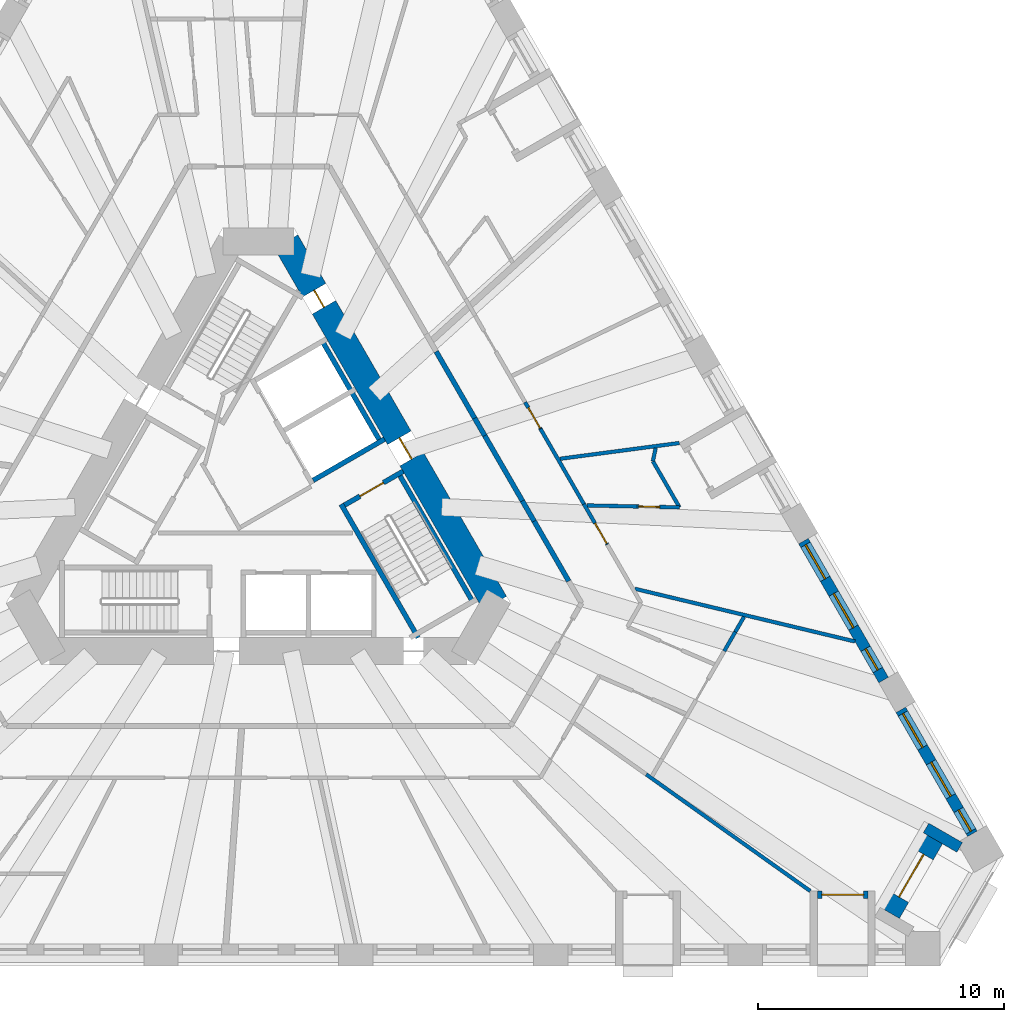
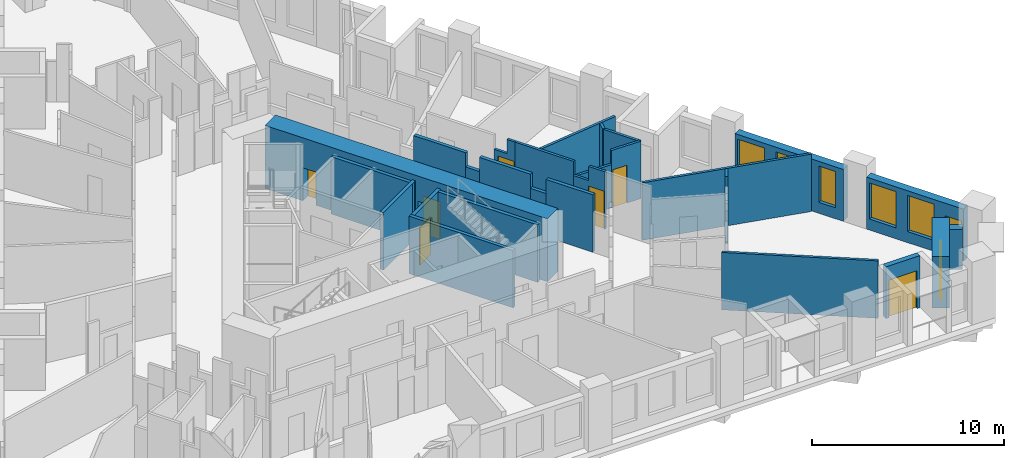
# One storey, part 7 of 14: 28 walls, 8 doors, 6 windows, 14 openings.
"""IFC4 building model written with IfcOpenShell, lengths in metres."""

from ifc_helpers import new_model, si_unit, direction, frame, frame_2d, origin, place, context, subcontext, project, spatial, polyline, rectangle, outline, extrude, material, layer, layer_set, type_object, element, fill, save


model = new_model("IFC4")

# Units and contexts
model_context = context("Model", 3, precision=1e-05, world=origin(), true_north=direction((0.0, 1.0)))
body_context = subcontext(model_context, "Body", "Model", "MODEL_VIEW")
ifc_project = project(units=[si_unit("LENGTHUNIT", "METRE"), si_unit("AREAUNIT", "SQUARE_METRE"), si_unit("VOLUMEUNIT", "CUBIC_METRE"), si_unit("PLANEANGLEUNIT", "RADIAN"), si_unit("MASSUNIT", "GRAM", prefix="KILO")], contexts=[model_context])

# Site, building, storey
site_placement = place(None, origin())
site = spatial("IfcSite", under=ifc_project, at=site_placement, CompositionType="ELEMENT")
building_placement = place(site_placement, origin())
building = spatial("IfcBuilding", under=site, at=building_placement, Name="Tramontana Tower", CompositionType="ELEMENT")
storey_placement = place(building_placement, frame((0.0, 0.0, 34.0)))
storey = spatial("IfcBuildingStorey", under=building, at=storey_placement, Name="L06", CompositionType="ELEMENT", Elevation=34.0)

# Wall, openings, doors
ifc_material_1 = material(Name="Concrete 70 MPa", Category="concrete")
ifc_layer_1 = layer(ifc_material_1, 1.10009765625)
ifc_layer_set_1 = layer_set([ifc_layer_1], Name="Core wall 1100 70 MPa")
wall_type_1 = type_object("IfcWallType", Name="Core wall 1100 70 MPa", PredefinedType="SHEAR", material=ifc_layer_set_1)
wall_1_placement = place(storey_placement, frame((9.61279296875, -4.25, 0.0), z_axis=(0.0, 0.0, 1.0), x_axis=(-0.500001757713, 0.866024388966, 0.0)))
wall_1 = element("IfcWall", 1, at=wall_1_placement, inside=storey, type_object=wall_type_1, Name="Core wall C5 L06", PredefinedType="SHEAR", context=body_context, shape_type="SweptSolid", body=[
    extrude(rectangle(XDim=16.97412109375, YDim=1.10009765625, at=frame_2d((8.487060546875, 0.0))), origin(), (0.0, 0.0, 1.0), 4.0),
])
opening_1_placement = place(wall_1_placement, frame((6.761962890625, 0.0, 0.0)))
opening_1 = element("IfcOpeningElement", 2, at=opening_1_placement, cuts=wall_1, Name="Opening RG3", PredefinedType="OPENING", context=body_context, shape_type="SweptSolid", body=[
    extrude(rectangle(XDim=1.0, YDim=2.39990234375, at=frame_2d((0.5, 1.199951171875))), frame((0.0, 0.56005859375, 0.0), z_axis=(0.0, -1.0, 0.0), x_axis=(1.0, 0.0, 0.0)), (0.0, 0.0, 1.0), 1.1201171875),
])
opening_2_placement = place(wall_1_placement, frame((13.88916015625, 0.0, 0.0)))
opening_2 = element("IfcOpeningElement", 3, at=opening_2_placement, cuts=wall_1, Name="Opening PD3", PredefinedType="OPENING", context=body_context, shape_type="SweptSolid", body=[
    extrude(rectangle(XDim=0.800048828125, YDim=2.10009765625, at=frame_2d((0.39990234375, 1.050048828125))), frame((0.0, 0.56005859375, 0.0), z_axis=(0.0, -1.0, 0.0), x_axis=(1.0, 0.0, 0.0)), (0.0, 0.0, 1.0), 1.1201171875),
])
ifc_material_2 = material(Name="Painted steel", Category="steel")
door_type_1 = type_object("IfcDoorType", Name="CUPBOARD DOOR 800", OperationType="SINGLE_SWING_LEFT", PredefinedType="DOOR", material=ifc_material_2)
door_1_placement = place(opening_2_placement, origin())
door_1 = element("IfcDoor", 4, at=door_1_placement, inside=storey, type_object=door_type_1, Name="Door PD3", OperationType="SINGLE_SWING_RIGHT", OverallHeight=2.10009765625, OverallWidth=0.800048828125, PredefinedType="DOOR", context=body_context, shape_type="SweptSolid", body=[
    extrude(rectangle(XDim=0.800048828125, YDim=2.10009765625, at=frame_2d((0.39990234375, 1.050048828125))), frame((0.0, 0.02490234375, 0.0), z_axis=(0.0, -1.0, 0.0), x_axis=(1.0, 0.0, 0.0)), (0.0, 0.0, 1.0), 0.050048828125),
])
fill(opening_2, door_1)
ifc_material_3 = material(Name="Painted steel", Category="steel")
door_type_2 = type_object("IfcDoorType", Name="RING DOOR 1000", OperationType="SINGLE_SWING_LEFT", PredefinedType="DOOR", material=ifc_material_3)
door_2_placement = place(opening_1_placement, origin())
door_2 = element("IfcDoor", 5, at=door_2_placement, inside=storey, type_object=door_type_2, Name="Door RG3", OperationType="SINGLE_SWING_RIGHT", OverallHeight=2.39990234375, OverallWidth=1.0, PredefinedType="DOOR", context=body_context, shape_type="SweptSolid", body=[
    extrude(rectangle(XDim=1.0, YDim=2.39990234375, at=frame_2d((0.5, 1.199951171875))), frame((0.0, 0.02490234375, 0.0), z_axis=(0.0, -1.0, 0.0), x_axis=(1.0, 0.0, 0.0)), (0.0, 0.0, 1.0), 0.050048828125),
])
fill(opening_1, door_2)

# Walls
ifc_material_4 = material(Name="Blockwork", Category="masonry")
ifc_layer_2 = layer(ifc_material_4, 0.199951171875)
ifc_layer_set_2 = layer_set([ifc_layer_2], Name="ENTRY WALL 200")
wall_type_2 = type_object("IfcWallType", Name="ENTRY WALL 200", PredefinedType="SOLIDWALL", material=ifc_layer_set_2)
wall_2_placement = place(storey_placement, frame((7.228271484375, 5.98046875, 0.0), z_axis=(0.0, 0.0, 1.0), x_axis=(0.499947505232, -0.866055709532, 0.0)))
element("IfcWall", 6, at=wall_2_placement, inside=storey, type_object=wall_type_2, Name="Wall v01-ew0-5", PredefinedType="SOLIDWALL", context=body_context, shape_type="SweptSolid", body=[
    extrude(rectangle(XDim=3.130126953125, YDim=0.199951171875, at=frame_2d((1.56494140625, 0.0))), origin(), (0.0, 0.0, 1.0), 3.64990234375),
])
wall_3_placement = place(storey_placement, frame((8.793212890625, 3.26953125, 0.0), z_axis=(0.0, 0.0, 1.0), x_axis=(0.500118501653, -0.865956976012, 0.0)))
element("IfcWall", 7, at=wall_3_placement, inside=storey, type_object=wall_type_2, Name="Wall v01-ew0-6", PredefinedType="SOLIDWALL", context=body_context, shape_type="SweptSolid", body=[
    extrude(rectangle(XDim=0.818115234375, YDim=0.199951171875, at=frame_2d((0.4091796875, 0.0))), origin(), (0.0, 0.0, 1.0), 2.75),
])
wall_4_placement = place(storey_placement, frame((9.202392578125, 2.56103515625, 0.0), z_axis=(0.0, 0.0, 1.0), x_axis=(0.499952348839, -0.866052913447, 0.0)))
element("IfcWall", 8, at=wall_4_placement, inside=storey, type_object=wall_type_2, Name="Wall v01-ew0-7", PredefinedType="SOLIDWALL", context=body_context, shape_type="SweptSolid", body=[
    extrude(rectangle(XDim=3.064208984375, YDim=0.199951171875, at=frame_2d((1.5322265625, 0.0))), origin(), (0.0, 0.0, 1.0), 3.64990234375),
])
wall_5_placement = place(storey_placement, frame((10.734375, -0.0927734375, 0.0), z_axis=(0.0, 0.0, 1.0), x_axis=(0.500174821557, -0.865924446982, 0.0)))
element("IfcWall", 9, at=wall_5_placement, inside=storey, type_object=wall_type_2, Name="Wall v01-ew0-8", PredefinedType="SOLIDWALL", context=body_context, shape_type="SweptSolid", body=[
    extrude(rectangle(XDim=0.949951171875, YDim=0.199951171875, at=frame_2d((0.47509765625, 0.0))), origin(), (0.0, 0.0, 1.0), 2.75),
])
wall_6_placement = place(storey_placement, frame((11.20947265625, -0.915283203125, 0.0), z_axis=(0.0, 0.0, 1.0), x_axis=(0.49993514545, -0.866062844338, 0.0)))
element("IfcWall", 10, at=wall_6_placement, inside=storey, type_object=wall_type_2, Name="Wall v01-ew0-9", PredefinedType="SOLIDWALL", context=body_context, shape_type="SweptSolid", body=[
    extrude(rectangle(XDim=2.815185546875, YDim=0.199951171875, at=frame_2d((1.40771484375, 0.0))), origin(), (0.0, 0.0, 1.0), 3.64990234375),
])

# Wall, openings, windows
ifc_material_5 = material(Name="Precast concrete 60 MPa", Category="concrete")
ifc_layer_3 = layer(ifc_material_5, 0.449951171875)
ifc_layer_set_3 = layer_set([ifc_layer_3], Name="Precast concrete 60 MPa, 450 mm")
wall_type_3 = type_object("IfcWallType", Name="EW1 Stone-faced precast wall 450", PredefinedType="SOLIDWALL", material=ifc_layer_set_3)
wall_7_placement = place(storey_placement, frame((29.0263671875, -13.625, 0.0), z_axis=(0.0, 0.0, 1.0), x_axis=(-0.500007002644, 0.866021360769, 0.0)))
wall_7 = element("IfcWall", 11, at=wall_7_placement, inside=storey, type_object=wall_type_3, Name="External wall L06 face 2 bay 1", PredefinedType="SOLIDWALL", context=body_context, shape_type="SweptSolid", body=[
    extrude(rectangle(XDim=5.81787109375, YDim=0.449951171875, at=frame_2d((2.908935546875, 0.0))), origin(), (0.0, 0.0, 1.0), 3.300048828125),
])
opening_3_placement = place(wall_7_placement, frame((0.11962890625, 0.0, 0.699951171875)))
opening_3 = element("IfcOpeningElement", 12, at=opening_3_placement, cuts=wall_7, Name="Opening N1L", PredefinedType="OPENING", context=body_context, shape_type="SweptSolid", body=[
    extrude(rectangle(XDim=1.0, YDim=1.800048828125, at=frame_2d((0.5, 0.89990234375))), frame((0.0, 0.23486328125, 0.0), z_axis=(0.0, -1.0, 0.0), x_axis=(1.0, 0.0, 0.0)), (0.0, 0.0, 1.0), 0.469970703125),
])
opening_4_placement = place(wall_7_placement, frame((1.759033203125, 0.0, 0.699951171875)))
opening_4 = element("IfcOpeningElement", 13, at=opening_4_placement, cuts=wall_7, Name="Opening M1", PredefinedType="OPENING", context=body_context, shape_type="SweptSolid", body=[
    extrude(rectangle(XDim=1.60009765625, YDim=2.300048828125, at=frame_2d((0.800048828125, 1.14990234375))), frame((0.0, 0.23486328125, 0.0), z_axis=(0.0, -1.0, 0.0), x_axis=(1.0, 0.0, 0.0)), (0.0, 0.0, 1.0), 0.469970703125),
])
opening_5_placement = place(wall_7_placement, frame((4.04833984375, 0.0, 0.699951171875)))
opening_5 = element("IfcOpeningElement", 14, at=opening_5_placement, cuts=wall_7, Name="Opening M1", PredefinedType="OPENING", context=body_context, shape_type="SweptSolid", body=[
    extrude(rectangle(XDim=1.60009765625, YDim=2.300048828125, at=frame_2d((0.800048828125, 1.14990234375))), frame((0.0, 0.23486328125, 0.0), z_axis=(0.0, -1.0, 0.0), x_axis=(1.0, 0.0, 0.0)), (0.0, 0.0, 1.0), 0.469970703125),
])
ifc_material_6 = material(Name="Aluminum frame, double glazing unit", Category="aluminium")
window_type_1 = type_object("IfcWindowType", Name="M1 Window 1.6 x 2.3", PartitioningType="SINGLE_PANEL", PredefinedType="WINDOW", material=ifc_material_6)
window_1_placement = place(opening_4_placement, origin())
window_1 = element("IfcWindow", 15, at=window_1_placement, inside=storey, type_object=window_type_1, Name="Window M1 L06 face 2 module 2", OverallHeight=2.300048828125, OverallWidth=1.60009765625, PartitioningType="SINGLE_PANEL", PredefinedType="WINDOW", context=body_context, shape_type="SweptSolid", body=[
    extrude(rectangle(XDim=1.60009765625, YDim=2.300048828125, at=frame_2d((0.800048828125, 1.14990234375))), frame((0.0, 0.030029296875, 0.0), z_axis=(0.0, -1.0, 0.0), x_axis=(1.0, 0.0, 0.0)), (0.0, 0.0, 1.0), 0.06005859375),
])
fill(opening_4, window_1)
window_2_placement = place(opening_5_placement, origin())
window_2 = element("IfcWindow", 16, at=window_2_placement, inside=storey, type_object=window_type_1, Name="Window M1 L06 face 2 module 3", OverallHeight=2.300048828125, OverallWidth=1.60009765625, PartitioningType="SINGLE_PANEL", PredefinedType="WINDOW", context=body_context, shape_type="SweptSolid", body=[
    extrude(rectangle(XDim=1.60009765625, YDim=2.300048828125, at=frame_2d((0.800048828125, 1.14990234375))), frame((0.0, 0.030029296875, 0.0), z_axis=(0.0, -1.0, 0.0), x_axis=(1.0, 0.0, 0.0)), (0.0, 0.0, 1.0), 0.06005859375),
])
fill(opening_5, window_2)
ifc_material_7 = material(Name="Aluminum frame, double glazing unit", Category="aluminium")
window_type_2 = type_object("IfcWindowType", Name="N1L Window 1 x 1.8", PartitioningType="SINGLE_PANEL", PredefinedType="WINDOW", material=ifc_material_7)
window_3_placement = place(opening_3_placement, origin())
window_3 = element("IfcWindow", 17, at=window_3_placement, inside=storey, type_object=window_type_2, Name="Window N1L L06 face 2 module 1", OverallHeight=1.800048828125, OverallWidth=1.0, PartitioningType="SINGLE_PANEL", PredefinedType="WINDOW", context=body_context, shape_type="SweptSolid", body=[
    extrude(rectangle(XDim=1.0, YDim=1.800048828125, at=frame_2d((0.5, 0.89990234375))), frame((0.0, 0.030029296875, 0.0), z_axis=(0.0, -1.0, 0.0), x_axis=(1.0, 0.0, 0.0)), (0.0, 0.0, 1.0), 0.06005859375),
])
fill(opening_3, window_3)

wall_8_placement = place(storey_placement, frame((25.417236328125, -7.3740234375, 0.0), z_axis=(0.0, 0.0, 1.0), x_axis=(-0.499990498062, 0.866030889661, 0.0)))
wall_8 = element("IfcWall", 18, at=wall_8_placement, inside=storey, type_object=wall_type_3, Name="External wall L06 face 2 bay 2", PredefinedType="SOLIDWALL", context=body_context, shape_type="SweptSolid", body=[
    extrude(rectangle(XDim=6.517822265625, YDim=0.449951171875, at=frame_2d((3.2587890625, 0.0))), origin(), (0.0, 0.0, 1.0), 3.300048828125),
])
opening_6_placement = place(wall_8_placement, frame((0.4697265625, 0.0, 0.699951171875)))
opening_6 = element("IfcOpeningElement", 19, at=opening_6_placement, cuts=wall_8, Name="Opening N1", PredefinedType="OPENING", context=body_context, shape_type="SweptSolid", body=[
    extrude(rectangle(XDim=1.0, YDim=2.300048828125, at=frame_2d((0.5, 1.14990234375))), frame((0.0, 0.23486328125, 0.0), z_axis=(0.0, -1.0, 0.0), x_axis=(1.0, 0.0, 0.0)), (0.0, 0.0, 1.0), 0.469970703125),
])
opening_7_placement = place(wall_8_placement, frame((2.458984375, 0.0, 0.699951171875)))
opening_7 = element("IfcOpeningElement", 20, at=opening_7_placement, cuts=wall_8, Name="Opening M1", PredefinedType="OPENING", context=body_context, shape_type="SweptSolid", body=[
    extrude(rectangle(XDim=1.60009765625, YDim=2.300048828125, at=frame_2d((0.800048828125, 1.14990234375))), frame((0.0, 0.23486328125, 0.0), z_axis=(0.0, -1.0, 0.0), x_axis=(1.0, 0.0, 0.0)), (0.0, 0.0, 1.0), 0.469970703125),
])
opening_8_placement = place(wall_8_placement, frame((4.748291015625, 0.0, 0.699951171875)))
opening_8 = element("IfcOpeningElement", 21, at=opening_8_placement, cuts=wall_8, Name="Opening M1", PredefinedType="OPENING", context=body_context, shape_type="SweptSolid", body=[
    extrude(rectangle(XDim=1.60009765625, YDim=2.300048828125, at=frame_2d((0.800048828125, 1.14990234375))), frame((0.0, 0.23486328125, 0.0), z_axis=(0.0, -1.0, 0.0), x_axis=(1.0, 0.0, 0.0)), (0.0, 0.0, 1.0), 0.469970703125),
])
window_4_placement = place(opening_7_placement, origin())
window_4 = element("IfcWindow", 22, at=window_4_placement, inside=storey, type_object=window_type_1, Name="Window M1 L06 face 2 module 5", OverallHeight=2.300048828125, OverallWidth=1.60009765625, PartitioningType="SINGLE_PANEL", PredefinedType="WINDOW", context=body_context, shape_type="SweptSolid", body=[
    extrude(rectangle(XDim=1.60009765625, YDim=2.300048828125, at=frame_2d((0.800048828125, 1.14990234375))), frame((0.0, 0.030029296875, 0.0), z_axis=(0.0, -1.0, 0.0), x_axis=(1.0, 0.0, 0.0)), (0.0, 0.0, 1.0), 0.06005859375),
])
fill(opening_7, window_4)
window_5_placement = place(opening_8_placement, origin())
window_5 = element("IfcWindow", 23, at=window_5_placement, inside=storey, type_object=window_type_1, Name="Window M1 L06 face 2 module 6", OverallHeight=2.300048828125, OverallWidth=1.60009765625, PartitioningType="SINGLE_PANEL", PredefinedType="WINDOW", context=body_context, shape_type="SweptSolid", body=[
    extrude(rectangle(XDim=1.60009765625, YDim=2.300048828125, at=frame_2d((0.800048828125, 1.14990234375))), frame((0.0, 0.030029296875, 0.0), z_axis=(0.0, -1.0, 0.0), x_axis=(1.0, 0.0, 0.0)), (0.0, 0.0, 1.0), 0.06005859375),
])
fill(opening_8, window_5)
ifc_material_8 = material(Name="Aluminum frame, double glazing unit", Category="aluminium")
window_type_3 = type_object("IfcWindowType", Name="N1 Window 1 x 2.3", PartitioningType="SINGLE_PANEL", PredefinedType="WINDOW", material=ifc_material_8)
window_6_placement = place(opening_6_placement, origin())
window_6 = element("IfcWindow", 24, at=window_6_placement, inside=storey, type_object=window_type_3, Name="Window N1 L06 face 2 module 4", OverallHeight=2.300048828125, OverallWidth=1.0, PartitioningType="SINGLE_PANEL", PredefinedType="WINDOW", context=body_context, shape_type="SweptSolid", body=[
    extrude(rectangle(XDim=1.0, YDim=2.300048828125, at=frame_2d((0.5, 1.14990234375))), frame((0.0, 0.030029296875, 0.0), z_axis=(0.0, -1.0, 0.0), x_axis=(1.0, 0.0, 0.0)), (0.0, 0.0, 1.0), 0.06005859375),
])
fill(opening_6, window_6)

# Wall
wall_9_placement = place(storey_placement, frame((28.509033203125, -14.17919921875, 0.0), z_axis=(0.0, 0.0, 1.0), x_axis=(-0.866046570609, 0.499963336192, 0.0)))
element("IfcWall", 25, at=wall_9_placement, inside=storey, type_object=wall_type_3, Name="Corner loggia side wall L06 K02l", PredefinedType="SOLIDWALL", context=body_context, shape_type="SweptSolid", body=[
    extrude(rectangle(XDim=1.5791015625, YDim=0.449951171875, at=frame_2d((0.78955078125, 0.0))), origin(), (0.0, 0.0, 1.0), 2.550048828125),
])

# Wall, opening, door
ifc_material_9 = material(Name="Precast concrete 60 MPa", Category="concrete")
ifc_layer_4 = layer(ifc_material_9, 0.89990234375)
ifc_layer_set_4 = layer_set([ifc_layer_4], Name="EW2 Stone-faced corner loggia wall 900")
wall_type_4 = type_object("IfcWallType", Name="EW2 Stone-faced corner loggia wall 900", PredefinedType="SOLIDWALL", material=ifc_layer_set_4)
wall_10_placement = place(storey_placement, frame((27.418701171875, -13.8095703125, 0.0), z_axis=(0.0, 0.0, 1.0), x_axis=(-0.500010275428, -0.866019471182, 0.0)))
wall_10 = element("IfcWall", 26, at=wall_10_placement, inside=storey, type_object=wall_type_4, Name="Corner loggia wall L06 K02", PredefinedType="SOLIDWALL", context=body_context, shape_type="SweptSolid", body=[
    extrude(rectangle(XDim=3.5, YDim=0.89990234375, at=frame_2d((1.75, 0.0))), origin(), (0.0, 0.0, 1.0), 3.300048828125),
])
opening_9_placement = place(wall_10_placement, frame((0.75, 0.0, 0.0)))
opening_9 = element("IfcOpeningElement", 27, at=opening_9_placement, cuts=wall_10, Name="Opening BD-02C", PredefinedType="OPENING", context=body_context, shape_type="SweptSolid", body=[
    extrude(rectangle(XDim=2.0, YDim=2.39990234375, at=frame_2d((1.0, 1.199951171875))), frame((0.0, 0.4599609375, 0.0), z_axis=(0.0, -1.0, 0.0), x_axis=(1.0, 0.0, 0.0)), (0.0, 0.0, 1.0), 0.919921875),
])
ifc_material_10 = material(Name="Aluminum frame, double glazing unit", Category="aluminium")
door_type_3 = type_object("IfcDoorType", Name="BC1 Sliding door 2 x 2.4", OperationType="SLIDING_TO_LEFT", PredefinedType="DOOR", material=ifc_material_10)
door_3_placement = place(opening_9_placement, origin())
door_3 = element("IfcDoor", 28, at=door_3_placement, inside=storey, type_object=door_type_3, Name="Corner loggia door L06 K02", OperationType="SLIDING_TO_LEFT", OverallHeight=2.39990234375, OverallWidth=2.0, PredefinedType="DOOR", context=body_context, shape_type="SweptSolid", body=[
    extrude(rectangle(XDim=2.0, YDim=2.39990234375, at=frame_2d((1.0, 1.199951171875))), frame((0.0, 0.02490234375, 0.0), z_axis=(0.0, -1.0, 0.0), x_axis=(1.0, 0.0, 0.0)), (0.0, 0.0, 1.0), 0.050048828125),
])
fill(opening_9, door_3)

ifc_material_11 = material(Name="Precast concrete 60 MPa", Category="concrete")
ifc_layer_5 = layer(ifc_material_11, 0.300048828125)
ifc_layer_set_5 = layer_set([ifc_layer_5], Name="LW1 Stone-faced loggia wall 300")
wall_type_5 = type_object("IfcWallType", Name="LW1 Stone-faced loggia wall 300", PredefinedType="SOLIDWALL", material=ifc_layer_set_5)
wall_11_placement = place(storey_placement, frame((22.734130859375, -16.10009765625, 0.0), z_axis=(0.0, 0.0, 1.0), x_axis=(1.0, 0.0, 0.0)))
wall_11 = element("IfcWall", 29, at=wall_11_placement, inside=storey, type_object=wall_type_5, Name="Loggia wall L06 G0S1.19", PredefinedType="SOLIDWALL", context=body_context, shape_type="SweptSolid", body=[
    extrude(rectangle(XDim=2.039306640625, YDim=0.300048828125, at=frame_2d((1.01953125, 0.0))), origin(), (0.0, 0.0, 1.0), 3.300048828125),
])
opening_10_placement = place(wall_11_placement, frame((0.169677734375, 0.0, 0.0)))
opening_10 = element("IfcOpeningElement", 30, at=opening_10_placement, cuts=wall_11, Name="Opening BD-0S1-19", PredefinedType="OPENING", context=body_context, shape_type="SweptSolid", body=[
    extrude(rectangle(XDim=1.699951171875, YDim=2.39990234375, at=frame_2d((0.85009765625, 1.199951171875))), frame((0.0, 0.159912109375, 0.0), z_axis=(0.0, -1.0, 0.0), x_axis=(1.0, 0.0, 0.0)), (0.0, 0.0, 1.0), 0.320068359375),
])
ifc_material_12 = material(Name="Aluminum frame, double glazing unit", Category="aluminium")
door_type_4 = type_object("IfcDoorType", Name="BD1 Sliding door 1.7 x 2.4", OperationType="SLIDING_TO_LEFT", PredefinedType="DOOR", material=ifc_material_12)
door_4_placement = place(opening_10_placement, origin())
door_4 = element("IfcDoor", 31, at=door_4_placement, inside=storey, type_object=door_type_4, Name="Loggia door L06 G0S1.19", OperationType="SLIDING_TO_LEFT", OverallHeight=2.39990234375, OverallWidth=1.699951171875, PredefinedType="DOOR", context=body_context, shape_type="SweptSolid", body=[
    extrude(rectangle(XDim=1.699951171875, YDim=2.39990234375, at=frame_2d((0.85009765625, 1.199951171875))), frame((0.0, 0.02490234375, 0.0), z_axis=(0.0, -1.0, 0.0), x_axis=(1.0, 0.0, 0.0)), (0.0, 0.0, 1.0), 0.050048828125),
])
fill(opening_10, door_4)

ifc_material_13 = material(Name="Gypsum board partition")
ifc_layer_6 = layer(ifc_material_13, 0.14990234375)
ifc_layer_set_6 = layer_set([ifc_layer_6], Name="PARTITION 150")
wall_type_6 = type_object("IfcWallType", Name="PARTITION 150", PredefinedType="PARTITIONING", material=ifc_layer_set_6)
wall_12_placement = place(storey_placement, frame((10.842529296875, 3.92041015625, 0.0), z_axis=(0.0, 0.0, 1.0), x_axis=(0.499951613713, -0.866053337818, 0.0)))
wall_12 = element("IfcWall", 32, at=wall_12_placement, inside=storey, type_object=wall_type_6, Name="Wall v01-pw35-5", PredefinedType="PARTITIONING", context=body_context, shape_type="SweptSolid", body=[
    extrude(outline(polyline([(0.0, 0.0), (1.26025390625, 0.0), (1.260498046875, 3.64990234375), (0.79248046875, 3.64990234375), (0.79248046875, 2.75), (0.0, 2.75), (0.0, 0.0)])), frame((0.0, 0.074951171875, 0.0), z_axis=(0.0, -1.0, 0.0), x_axis=(1.0, 0.0, 0.0)), (0.0, 0.0, 1.0), 0.14990234375),
])
opening_11_placement = place(wall_12_placement, frame((0.260498046875, 0.0, 0.0)))
opening_11 = element("IfcOpeningElement", 33, at=opening_11_placement, cuts=wall_12, Name="Opening B0B-31", PredefinedType="OPENING", context=body_context, shape_type="SweptSolid", body=[
    extrude(rectangle(XDim=0.949951171875, YDim=2.39990234375, at=frame_2d((0.47509765625, 1.199951171875))), frame((0.0, 0.0849609375, 0.0), z_axis=(0.0, -1.0, 0.0), x_axis=(1.0, 0.0, 0.0)), (0.0, 0.0, 1.0), 0.169921875),
])
ifc_material_14 = material(Name="Painted timber", Category="wood")
door_type_5 = type_object("IfcDoorType", Name="DOOR ROOM 950", OperationType="SINGLE_SWING_LEFT", PredefinedType="DOOR", material=ifc_material_14)
door_5_placement = place(opening_11_placement, origin())
door_5 = element("IfcDoor", 34, at=door_5_placement, inside=storey, type_object=door_type_5, Name="Door B0B-31", OperationType="SINGLE_SWING_LEFT", OverallHeight=2.39990234375, OverallWidth=0.949951171875, PredefinedType="DOOR", context=body_context, shape_type="SweptSolid", body=[
    extrude(rectangle(XDim=0.949951171875, YDim=2.39990234375, at=frame_2d((0.47509765625, 1.199951171875))), frame((0.0, 0.02490234375, 0.0), z_axis=(0.0, -1.0, 0.0), x_axis=(1.0, 0.0, 0.0)), (0.0, 0.0, 1.0), 0.050048828125),
])
fill(opening_11, door_5)

# Wall
wall_13_placement = place(storey_placement, frame((11.47265625, 2.828857421875, 0.0), z_axis=(0.0, 0.0, 1.0), x_axis=(0.500002592159, -0.866023907196, 0.0)))
element("IfcWall", 35, at=wall_13_placement, inside=storey, type_object=wall_type_6, Name="Wall v01-pw35-6", PredefinedType="PARTITIONING", context=body_context, shape_type="SweptSolid", body=[
    extrude(rectangle(XDim=3.5205078125, YDim=0.14990234375, at=frame_2d((1.76025390625, 0.0))), origin(), (0.0, 0.0, 1.0), 3.64990234375),
])

# Wall, opening, door
wall_14_placement = place(storey_placement, frame((13.23291015625, -0.219970703125, 0.0), z_axis=(0.0, 0.0, 1.0), x_axis=(0.499948320023, -0.866055239177, 0.0)))
wall_14 = element("IfcWall", 36, at=wall_14_placement, inside=storey, type_object=wall_type_6, Name="Wall v01-pw35-7", PredefinedType="PARTITIONING", context=body_context, shape_type="SweptSolid", body=[
    extrude(outline(polyline([(0.0, 0.0), (1.902587890625, 0.0), (1.902587890625, 3.64990234375), (0.920166015625, 3.64990234375), (0.920166015625, 2.75), (0.0, 2.75), (0.0, 0.0)])), frame((0.0, 0.074951171875, 0.0), z_axis=(0.0, -1.0, 0.0), x_axis=(1.0, 0.0, 0.0)), (0.0, 0.0, 1.0), 0.14990234375),
])
opening_12_placement = place(wall_14_placement, frame((0.902587890625, 0.0, 0.0)))
opening_12 = element("IfcOpeningElement", 37, at=opening_12_placement, cuts=wall_14, Name="Opening B0B-30", PredefinedType="OPENING", context=body_context, shape_type="SweptSolid", body=[
    extrude(rectangle(XDim=0.949951171875, YDim=2.39990234375, at=frame_2d((0.47509765625, 1.199951171875))), frame((0.0, 0.0849609375, 0.0), z_axis=(0.0, -1.0, 0.0), x_axis=(1.0, 0.0, 0.0)), (0.0, 0.0, 1.0), 0.169921875),
])
door_6_placement = place(opening_12_placement, origin())
door_6 = element("IfcDoor", 38, at=door_6_placement, inside=storey, type_object=door_type_5, Name="Door B0B-30", OperationType="SINGLE_SWING_RIGHT", OverallHeight=2.39990234375, OverallWidth=0.949951171875, PredefinedType="DOOR", context=body_context, shape_type="SweptSolid", body=[
    extrude(rectangle(XDim=0.949951171875, YDim=2.39990234375, at=frame_2d((0.47509765625, 1.199951171875))), frame((0.0, 0.02490234375, 0.0), z_axis=(0.0, -1.0, 0.0), x_axis=(1.0, 0.0, 0.0)), (0.0, 0.0, 1.0), 0.050048828125),
])
fill(opening_12, door_6)

# Walls
wall_15_placement = place(storey_placement, frame((12.257568359375, 1.619384765625, 0.0), z_axis=(0.0, 0.0, 1.0), x_axis=(0.991386113533, 0.130971653017, 0.0)))
element("IfcWall", 39, at=wall_15_placement, inside=storey, type_object=wall_type_6, Name="Wall v01-pw46", PredefinedType="PARTITIONING", context=body_context, shape_type="SweptSolid", body=[
    extrude(rectangle(XDim=4.89697265625, YDim=0.14990234375, at=frame_2d((2.448486328125, 0.0))), origin(), (0.0, 0.0, 1.0), 3.64990234375),
])
wall_16_placement = place(storey_placement, frame((15.308837890625, -3.66552734375, 0.0), z_axis=(0.0, 0.0, 1.0), x_axis=(0.97251005754, -0.232860876887, 0.0)))
element("IfcWall", 40, at=wall_16_placement, inside=storey, type_object=wall_type_6, Name="Wall v01-pw51", PredefinedType="PARTITIONING", context=body_context, shape_type="SweptSolid", body=[
    extrude(rectangle(XDim=9.197021484375, YDim=0.14990234375, at=frame_2d((4.5986328125, 0.0))), origin(), (0.0, 0.0, 1.0), 3.64990234375),
])
wall_17_placement = place(storey_placement, frame((16.037109375, 1.5224609375, 0.0), z_axis=(0.0, 0.0, 1.0), x_axis=(0.500014901547, -0.866016800201, 0.0)))
element("IfcWall", 41, at=wall_17_placement, inside=storey, type_object=wall_type_6, Name="Wall v01-pw53", PredefinedType="PARTITIONING", context=body_context, shape_type="SweptSolid", body=[
    extrude(rectangle(XDim=2.16796875, YDim=0.14990234375, at=frame_2d((1.083984375, 0.0))), origin(), (0.0, 0.0, 1.0), 3.64990234375),
])
wall_18_placement = place(storey_placement, frame((16.15234375, 2.057861328125, 0.0), z_axis=(0.0, 0.0, 1.0), x_axis=(-0.211390488709, -0.977401688807, 0.0)))
element("IfcWall", 42, at=wall_18_placement, inside=storey, type_object=wall_type_6, Name="Wall v01-pw54", PredefinedType="PARTITIONING", context=body_context, shape_type="SweptSolid", body=[
    extrude(rectangle(XDim=0.54638671875, YDim=0.14990234375, at=frame_2d((0.273193359375, 0.0))), origin(), (0.0, 0.0, 1.0), 3.64990234375),
])

# Wall, opening, door
wall_19_placement = place(storey_placement, frame((15.39794921875, -0.3193359375, 0.0), z_axis=(0.0, 0.0, 1.0), x_axis=(0.99978317962, -0.020822914056, 0.0)))
wall_19 = element("IfcWall", 43, at=wall_19_placement, inside=storey, type_object=wall_type_6, Name="Wall v01-pw55-0", PredefinedType="PARTITIONING", context=body_context, shape_type="SweptSolid", body=[
    extrude(rectangle(XDim=1.7236328125, YDim=0.14990234375, at=frame_2d((0.86181640625, 0.0))), origin(), (0.0, 0.0, 1.0), 3.64990234375),
])
opening_13_placement = place(wall_19_placement, frame((0.06396484375, 0.0, 0.0)))
opening_13 = element("IfcOpeningElement", 44, at=opening_13_placement, cuts=wall_19, Name="Opening B0B-33", PredefinedType="OPENING", context=body_context, shape_type="SweptSolid", body=[
    extrude(rectangle(XDim=0.85009765625, YDim=2.39990234375, at=frame_2d((0.425048828125, 1.199951171875))), frame((0.0, 0.0849609375, 0.0), z_axis=(0.0, -1.0, 0.0), x_axis=(1.0, 0.0, 0.0)), (0.0, 0.0, 1.0), 0.169921875),
])
ifc_material_15 = material(Name="Painted timber", Category="wood")
door_type_6 = type_object("IfcDoorType", Name="DOOR BATH 850", OperationType="SINGLE_SWING_LEFT", PredefinedType="DOOR", material=ifc_material_15)
door_7_placement = place(opening_13_placement, origin())
door_7 = element("IfcDoor", 45, at=door_7_placement, inside=storey, type_object=door_type_6, Name="Door B0B-33", OperationType="SINGLE_SWING_LEFT", OverallHeight=2.39990234375, OverallWidth=0.85009765625, PredefinedType="DOOR", context=body_context, shape_type="SweptSolid", body=[
    extrude(rectangle(XDim=0.85009765625, YDim=2.39990234375, at=frame_2d((0.425048828125, 1.199951171875))), frame((0.0, 0.02490234375, 0.0), z_axis=(0.0, -1.0, 0.0), x_axis=(1.0, 0.0, 0.0)), (0.0, 0.0, 1.0), 0.050048828125),
])
fill(opening_13, door_7)

# Walls
wall_20_placement = place(storey_placement, frame((15.39794921875, -0.3193359375, 0.0), z_axis=(0.0, 0.0, 1.0), x_axis=(-0.999786870954, 0.020644918677, 0.0)))
element("IfcWall", 46, at=wall_20_placement, inside=storey, type_object=wall_type_6, Name="Wall v01-pw55-1", PredefinedType="PARTITIONING", context=body_context, shape_type="SweptSolid", body=[
    extrude(rectangle(XDim=2.0458984375, YDim=0.14990234375, at=frame_2d((1.02294921875, 0.0))), origin(), (0.0, 0.0, 1.0), 2.75),
])
wall_21_placement = place(storey_placement, frame((19.742919921875, -4.804443359375, 0.0), z_axis=(0.0, 0.0, 1.0), x_axis=(-0.500248917644, -0.865881643411, 0.0)))
element("IfcWall", 47, at=wall_21_placement, inside=storey, type_object=wall_type_6, Name="Wall v01-pw57-0", PredefinedType="PARTITIONING", context=body_context, shape_type="SweptSolid", body=[
    extrude(rectangle(XDim=0.709228515625, YDim=0.14990234375, at=frame_2d((0.3544921875, 0.0))), origin(), (0.0, 0.0, 1.0), 3.64990234375),
])
wall_22_placement = place(storey_placement, frame((19.38818359375, -5.41845703125, 0.0), z_axis=(0.0, 0.0, 1.0), x_axis=(-0.499996880198, -0.866027204995, 0.0)))
element("IfcWall", 48, at=wall_22_placement, inside=storey, type_object=wall_type_6, Name="Wall v01-pw57-1", PredefinedType="PARTITIONING", context=body_context, shape_type="SweptSolid", body=[
    extrude(rectangle(XDim=0.8984375, YDim=0.14990234375, at=frame_2d((0.44921875, 0.0))), origin(), (0.0, 0.0, 1.0), 2.550048828125),
])
wall_23_placement = place(storey_placement, frame((22.43408203125, -15.949951171875, 0.0), z_axis=(0.0, 0.0, 1.0), x_axis=(-0.815008268832, 0.579449326288, 0.0)))
element("IfcWall", 49, at=wall_23_placement, inside=storey, type_object=wall_type_6, Name="Wall v01-pw58-0", PredefinedType="PARTITIONING", context=body_context, shape_type="SweptSolid", body=[
    extrude(rectangle(XDim=8.178466796875, YDim=0.14990234375, at=frame_2d((4.08935546875, 0.0))), origin(), (0.0, 0.0, 1.0), 3.64990234375),
])
ifc_material_16 = material(Name="Concrete 70 MPa", Category="concrete")
ifc_layer_7 = layer(ifc_material_16, 0.199951171875)
ifc_layer_set_7 = layer_set([ifc_layer_7], Name="Concrete 70 MPa, 200 mm")
wall_type_7 = type_object("IfcWallType", Name="RC SHAFT BACK WALL 200", PredefinedType="SOLIDWALL", material=ifc_layer_set_7)
wall_24_placement = place(storey_placement, frame((8.759765625, -4.2724609375, 0.0), z_axis=(0.0, 0.0, 1.0), x_axis=(-0.49998037582, 0.866036733513, 0.0)))
element("IfcWall", 50, at=wall_24_placement, inside=storey, type_object=wall_type_7, Name="Wall st3-back", PredefinedType="SOLIDWALL", context=body_context, shape_type="SweptSolid", body=[
    extrude(rectangle(XDim=6.199951171875, YDim=0.199951171875, at=frame_2d((3.10009765625, 0.0))), origin(), (0.0, 0.0, 1.0), 3.64990234375),
])
wall_25_placement = place(storey_placement, frame((5.0048828125, 2.2314453125, 0.0), z_axis=(0.0, 0.0, 1.0), x_axis=(-0.500002801628, 0.866023786258, 0.0)))
element("IfcWall", 51, at=wall_25_placement, inside=storey, type_object=wall_type_7, Name="Wall row2-back", PredefinedType="SOLIDWALL", context=body_context, shape_type="SweptSolid", body=[
    extrude(rectangle(XDim=4.89990234375, YDim=0.199951171875, at=frame_2d((2.449951171875, 0.0))), origin(), (0.0, 0.0, 1.0), 3.64990234375),
])
ifc_material_17 = material(Name="Concrete 70 MPa", Category="concrete")
ifc_layer_8 = layer(ifc_material_17, 0.199951171875)
ifc_layer_set_8 = layer_set([ifc_layer_8], Name="Concrete 70 MPa, 200 mm")
wall_type_8 = type_object("IfcWallType", Name="RC STAIR AND SHAFT WALL 200", PredefinedType="SOLIDWALL", material=ifc_layer_set_8)
wall_26_placement = place(storey_placement, frame((6.4951171875, -5.64990234375, 0.0), z_axis=(0.0, 0.0, 1.0), x_axis=(-0.499976754523, 0.866038824151, 0.0)))
element("IfcWall", 52, at=wall_26_placement, inside=storey, type_object=wall_type_8, Name="Wall st3-front", PredefinedType="SOLIDWALL", context=body_context, shape_type="SweptSolid", body=[
    extrude(rectangle(XDim=6.260498046875, YDim=0.199951171875, at=frame_2d((3.13037109375, 0.0))), origin(), (0.0, 0.0, 1.0), 3.64990234375),
])

# Wall, opening, door
wall_27_placement = place(storey_placement, frame((3.50146484375, -0.2646484375, 0.0), z_axis=(0.0, 0.0, 1.0), x_axis=(0.866027397988, 0.499996545922, 0.0)))
wall_27 = element("IfcWall", 53, at=wall_27_placement, inside=storey, type_object=wall_type_8, Name="Wall st3-near", PredefinedType="SOLIDWALL", context=body_context, shape_type="SweptSolid", body=[
    extrude(rectangle(XDim=2.75, YDim=0.199951171875, at=frame_2d((1.375, 0.0))), origin(), (0.0, 0.0, 1.0), 3.64990234375),
])
opening_14_placement = place(wall_27_placement, frame((0.72509765625, 0.0, 0.0)))
opening_14 = element("IfcOpeningElement", 54, at=opening_14_placement, cuts=wall_27, Name="Opening SD3", PredefinedType="OPENING", context=body_context, shape_type="SweptSolid", body=[
    extrude(rectangle(XDim=1.10009765625, YDim=2.39990234375, at=frame_2d((0.550048828125, 1.199951171875))), frame((0.0, 0.10986328125, 0.0), z_axis=(0.0, -1.0, 0.0), x_axis=(1.0, 0.0, 0.0)), (0.0, 0.0, 1.0), 0.219970703125),
])
ifc_material_18 = material(Name="Painted steel", Category="steel")
door_type_7 = type_object("IfcDoorType", Name="STAIR DOOR 1100", OperationType="SINGLE_SWING_LEFT", PredefinedType="DOOR", material=ifc_material_18)
door_8_placement = place(opening_14_placement, origin())
door_8 = element("IfcDoor", 55, at=door_8_placement, inside=storey, type_object=door_type_7, Name="Door SD3", OperationType="SINGLE_SWING_RIGHT", OverallHeight=2.39990234375, OverallWidth=1.10009765625, PredefinedType="DOOR", context=body_context, shape_type="SweptSolid", body=[
    extrude(rectangle(XDim=1.10009765625, YDim=2.39990234375, at=frame_2d((0.550048828125, 1.199951171875))), frame((0.0, 0.02490234375, 0.0), z_axis=(0.0, -1.0, 0.0), x_axis=(1.0, 0.0, 0.0)), (0.0, 0.0, 1.0), 0.050048828125),
])
fill(opening_14, door_8)

# Wall
wall_28_placement = place(storey_placement, frame((2.226806640625, 0.742919921875, 0.0), z_axis=(0.0, 0.0, 1.0), x_axis=(0.866014461049, 0.500018952895, 0.0)))
element("IfcWall", 56, at=wall_28_placement, inside=storey, type_object=wall_type_8, Name="Wall row2-side0", PredefinedType="SOLIDWALL", context=body_context, shape_type="SweptSolid", body=[
    extrude(rectangle(XDim=3.349853515625, YDim=0.199951171875, at=frame_2d((1.6748046875, 0.0))), origin(), (0.0, 0.0, 1.0), 3.64990234375),
])

save(model, "model.ifc")
